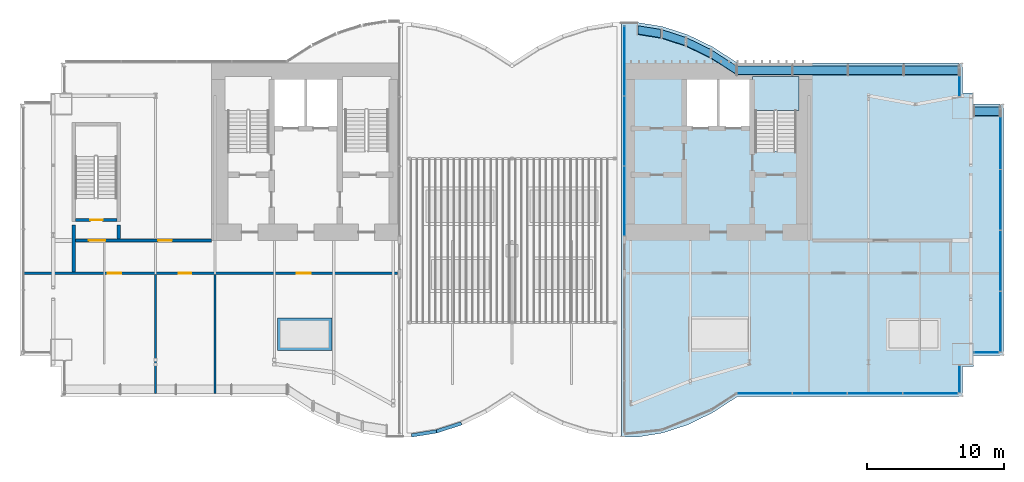
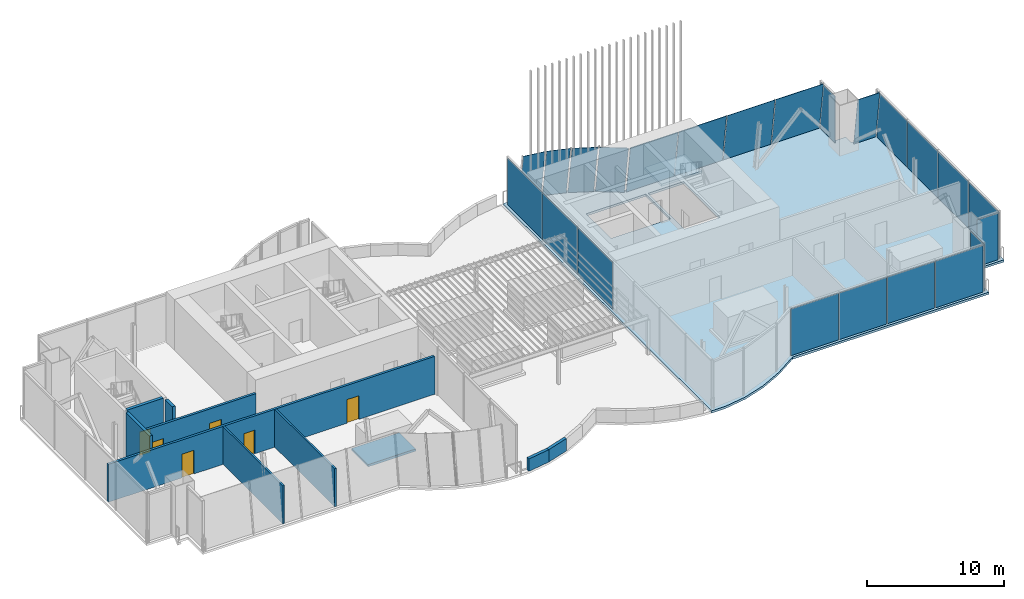
# One storey, part 11 of 18: 23 plates, 10 walls, 6 doors, 2 slabs, 6 openings, 13 elements without a shape of their own.
"""IFC4 building model written with IfcOpenShell, lengths in metres."""

from ifc_helpers import new_model, si_unit, direction, frame, frame_2d, origin, origin_2d, place, context, subcontext, project, spatial, polyline, rectangle, outline, extrude, material, layer, layer_set, layer_usage, type_object, element, fill, aggregate, save


model = new_model("IFC4")

# Units and contexts
model_context = context("Model", 3, precision=1e-05, world=origin(), true_north=direction((0.0, 1.0)))
body_context = subcontext(model_context, "Body", "Model", "MODEL_VIEW")
ifc_project = project(units=[si_unit("LENGTHUNIT", "METRE"), si_unit("AREAUNIT", "SQUARE_METRE"), si_unit("VOLUMEUNIT", "CUBIC_METRE"), si_unit("PLANEANGLEUNIT", "RADIAN"), si_unit("MASSUNIT", "GRAM", prefix="KILO")], contexts=[model_context])

# Site, building, storey
site_placement = place(None, origin())
site = spatial("IfcSite", under=ifc_project, at=site_placement, CompositionType="ELEMENT")
building_placement = place(site_placement, origin())
building = spatial("IfcBuilding", under=site, at=building_placement, Name="Bicima Exchange Tower", CompositionType="ELEMENT")
storey_placement = place(building_placement, frame((0.0, 0.0, 347.89990234375)))
storey = spatial("IfcBuildingStorey", under=building, at=storey_placement, Name="L78", CompositionType="ELEMENT", Elevation=347.89990234375)

# Slab
ifc_material_1 = material(Name="Concrete C40/50", Category="concrete")
ifc_layer_1 = layer(ifc_material_1, 0.199951171875)
ifc_layer_set_1 = layer_set([ifc_layer_1], Name="Concrete C40/50")
slab_type_1 = type_object("IfcSlabType", Name="Composite floor slab 200", PredefinedType="FLOOR", material=ifc_layer_set_1)
slab_1_placement = place(storey_placement, frame((0.0, 0.0, -0.199951171875)))
element("IfcSlab", 1, at=slab_1_placement, inside=storey, type_object=slab_type_1, Name="Floor slab", PredefinedType="FLOOR", context=body_context, shape_type="SweptSolid", body=[
    extrude(outline(polyline([(33.0, -22.23193359375), (33.0, -24.431884765625), (16.5, -24.431884765625), (14.666748046875, -25.6171875), (12.833251953125, -26.506103515625), (11.0, -27.0986328125), (9.166748046875, -27.39501953125), (8.0, -27.39501953125), (8.0, 2.962890625), (9.166748046875, 2.962890625), (11.0, 2.666748046875), (12.833251953125, 2.07421875), (14.666748046875, 1.185302734375), (16.5, 0.0), (33.0, 0.0), (33.0, -2.199951171875), (33.800048828125, -2.199951171875), (33.800048828125, -3.0), (36.0, -3.0), (36.0, -21.431884765625), (33.800048828125, -21.431884765625), (33.800048828125, -22.23193359375), (33.0, -22.23193359375)]), holes=[polyline([(17.800048828125, -1.199951171875), (17.800048828125, -6.449951171875), (20.800048828125, -6.449951171875), (20.800048828125, -1.199951171875), (17.800048828125, -1.199951171875)]), polyline([(15.10009765625, -1.199951171875), (12.60009765625, -1.199951171875), (12.60009765625, -4.800048828125), (15.10009765625, -4.800048828125), (17.60009765625, -4.800048828125), (17.60009765625, -1.199951171875), (15.10009765625, -1.199951171875)])]), origin(), (0.0, 0.0, 1.0), 0.199951171875),
])

# Curtain wall, plate
ifc_material_2 = material(Name="Anodised bronze aluminium", Category="aluminium")
curtain_wall_type_1 = type_object("IfcCurtainWallType", Name="Crown glass wall", PredefinedType="NOTDEFINED", material=ifc_material_2)
curtain_wall_1_placement = place(storey_placement, origin())
curtain_wall_1 = element("IfcCurtainWall", 2, at=curtain_wall_1_placement, inside=storey, type_object=curtain_wall_type_1, Name="Crown glass wall L78 run 1", PredefinedType="NOTDEFINED")
ifc_material_3 = material(Name="Bronze tinted glass", Category="glass")
ifc_layer_2 = layer(ifc_material_3, 0.035888671875)
ifc_layer_set_2 = layer_set([ifc_layer_2], Name="Bronze tinted glass")
plate_type_1 = type_object("IfcPlateType", Name="Crown glass wall glass panel 36", PredefinedType="CURTAIN_PANEL", material=ifc_layer_set_2)
plate_1_placement = place(storey_placement, frame((32.77001953125, -1.418212890625, 0.0), z_axis=(0.0, 0.0, 1.0), x_axis=(0.0, 1.0, 0.0)))
plate_1 = element("IfcPlate", 3, at=plate_1_placement, type_object=plate_type_1, Name="Crown glass wall panel 1.1", PredefinedType="CURTAIN_PANEL", context=body_context, shape_type="SweptSolid", body=[
    extrude(rectangle(XDim=2.076171875, YDim=0.035888671875, at=origin_2d()), origin(), (0.0, 0.0, 1.0), 4.139892578125),
])
aggregate(curtain_wall_1, [plate_1])

# Curtain wall, plates
curtain_wall_2_placement = place(storey_placement, origin())
curtain_wall_2 = element("IfcCurtainWall", 4, at=curtain_wall_2_placement, inside=storey, type_object=curtain_wall_type_1, Name="Crown glass wall L78 run 12", PredefinedType="NOTDEFINED")
plate_2_placement = place(storey_placement, frame((18.485595703125, -24.201904296875, 0.0), z_axis=(0.0, 0.0, 1.0), x_axis=(1.0, 0.0, 0.0)))
plate_2 = element("IfcPlate", 5, at=plate_2_placement, type_object=plate_type_1, Name="Crown glass wall panel 1.1", PredefinedType="CURTAIN_PANEL", context=body_context, shape_type="SweptSolid", body=[
    extrude(rectangle(XDim=3.987060546875, YDim=0.035888671875, at=origin_2d()), origin(), (0.0, 0.0, 1.0), 4.139892578125),
])
plate_3_placement = place(storey_placement, frame((22.53271484375, -24.201904296875, 0.0), z_axis=(0.0, 0.0, 1.0), x_axis=(1.0, 0.0, 0.0)))
plate_3 = element("IfcPlate", 6, at=plate_3_placement, type_object=plate_type_1, Name="Crown glass wall panel 2.1", PredefinedType="CURTAIN_PANEL", context=body_context, shape_type="SweptSolid", body=[
    extrude(rectangle(XDim=3.987060546875, YDim=0.035888671875, at=origin_2d()), origin(), (0.0, 0.0, 1.0), 4.139892578125),
])
plate_4_placement = place(storey_placement, frame((26.57958984375, -24.201904296875, 0.0), z_axis=(0.0, 0.0, 1.0), x_axis=(1.0, 0.0, 0.0)))
plate_4 = element("IfcPlate", 7, at=plate_4_placement, type_object=plate_type_1, Name="Crown glass wall panel 3.1", PredefinedType="CURTAIN_PANEL", context=body_context, shape_type="SweptSolid", body=[
    extrude(rectangle(XDim=3.987060546875, YDim=0.035888671875, at=origin_2d()), origin(), (0.0, 0.0, 1.0), 4.139892578125),
])
plate_5_placement = place(storey_placement, frame((30.62646484375, -24.201904296875, 0.0), z_axis=(0.0, 0.0, 1.0), x_axis=(1.0, 0.0, 0.0)))
plate_5 = element("IfcPlate", 8, at=plate_5_placement, type_object=plate_type_1, Name="Crown glass wall panel 4.1", PredefinedType="CURTAIN_PANEL", context=body_context, shape_type="SweptSolid", body=[
    extrude(rectangle(XDim=3.987060546875, YDim=0.035888671875, at=origin_2d()), origin(), (0.0, 0.0, 1.0), 4.139892578125),
])
aggregate(curtain_wall_2, [plate_2, plate_3, plate_4, plate_5])

# Curtain wall, plate
curtain_wall_3_placement = place(storey_placement, origin())
curtain_wall_3 = element("IfcCurtainWall", 9, at=curtain_wall_3_placement, inside=storey, type_object=curtain_wall_type_1, Name="Crown glass wall L78 run 13", PredefinedType="NOTDEFINED")
plate_6_placement = place(storey_placement, frame((32.77001953125, -23.156005859375, 0.0), z_axis=(0.0, 0.0, 1.0), x_axis=(0.0, 1.0, 0.0)))
plate_6 = element("IfcPlate", 10, at=plate_6_placement, type_object=plate_type_1, Name="Crown glass wall panel 1.1", PredefinedType="CURTAIN_PANEL", context=body_context, shape_type="SweptSolid", body=[
    extrude(rectangle(XDim=1.971923828125, YDim=0.035888671875, at=origin_2d()), origin(), (0.0, 0.0, 1.0), 4.139892578125),
])
aggregate(curtain_wall_3, [plate_6])

curtain_wall_4_placement = place(storey_placement, origin())
curtain_wall_4 = element("IfcCurtainWall", 11, at=curtain_wall_4_placement, inside=storey, type_object=curtain_wall_type_1, Name="Crown glass wall L78 run 14", PredefinedType="NOTDEFINED")
plate_7_placement = place(storey_placement, frame((34.739990234375, -21.201904296875, 0.0), z_axis=(0.0, 0.0, 1.0), x_axis=(1.0, 0.0, 0.0)))
plate_7 = element("IfcPlate", 12, at=plate_7_placement, type_object=plate_type_1, Name="Crown glass wall panel 1.1", PredefinedType="CURTAIN_PANEL", context=body_context, shape_type="SweptSolid", body=[
    extrude(rectangle(XDim=1.760009765625, YDim=0.035888671875, at=origin_2d()), origin(), (0.0, 0.0, 1.0), 4.139892578125),
])
aggregate(curtain_wall_4, [plate_7])

# Curtain wall, plates
curtain_wall_5_placement = place(storey_placement, origin())
curtain_wall_5 = element("IfcCurtainWall", 13, at=curtain_wall_5_placement, inside=storey, type_object=curtain_wall_type_1, Name="Crown glass wall L78 run 15", PredefinedType="NOTDEFINED")
plate_8_placement = place(storey_placement, frame((35.77001953125, -18.9443359375, 0.0), z_axis=(0.0, 0.0, 1.0), x_axis=(0.0, 1.0, 0.0)))
plate_8 = element("IfcPlate", 14, at=plate_8_placement, type_object=plate_type_1, Name="Crown glass wall panel 1.1", PredefinedType="CURTAIN_PANEL", context=body_context, shape_type="SweptSolid", body=[
    extrude(rectangle(XDim=4.3955078125, YDim=0.035888671875, at=origin_2d()), origin(), (0.0, 0.0, 1.0), 4.139892578125),
])
plate_9_placement = place(storey_placement, frame((35.77001953125, -14.48876953125, 0.0), z_axis=(0.0, 0.0, 1.0), x_axis=(0.0, 1.0, 0.0)))
plate_9 = element("IfcPlate", 15, at=plate_9_placement, type_object=plate_type_1, Name="Crown glass wall panel 2.1", PredefinedType="CURTAIN_PANEL", context=body_context, shape_type="SweptSolid", body=[
    extrude(rectangle(XDim=4.3955078125, YDim=0.035888671875, at=origin_2d()), origin(), (0.0, 0.0, 1.0), 4.139892578125),
])
plate_10_placement = place(storey_placement, frame((35.77001953125, -10.033203125, 0.0), z_axis=(0.0, 0.0, 1.0), x_axis=(0.0, 1.0, 0.0)))
plate_10 = element("IfcPlate", 16, at=plate_10_placement, type_object=plate_type_1, Name="Crown glass wall panel 3.1", PredefinedType="CURTAIN_PANEL", context=body_context, shape_type="SweptSolid", body=[
    extrude(rectangle(XDim=4.3955078125, YDim=0.035888671875, at=origin_2d()), origin(), (0.0, 0.0, 1.0), 4.139892578125),
])
plate_11_placement = place(storey_placement, frame((35.77001953125, -5.57763671875, 0.0), z_axis=(0.0, 0.0, 1.0), x_axis=(0.0, 1.0, 0.0)))
plate_11 = element("IfcPlate", 17, at=plate_11_placement, type_object=plate_type_1, Name="Crown glass wall panel 4.1", PredefinedType="CURTAIN_PANEL", context=body_context, shape_type="SweptSolid", body=[
    extrude(rectangle(XDim=4.3955078125, YDim=0.035888671875, at=origin_2d()), origin(), (0.0, 0.0, 1.0), 4.139892578125),
])
aggregate(curtain_wall_5, [plate_8, plate_9, plate_10, plate_11])

curtain_wall_6_placement = place(storey_placement, origin())
curtain_wall_6 = element("IfcCurtainWall", 18, at=curtain_wall_6_placement, inside=storey, type_object=curtain_wall_type_1, Name="Crown tilted glass L78 2.1", PredefinedType="NOTDEFINED")
plate_12_placement = place(storey_placement, frame((32.7099609375, -0.22998046875, 0.0), z_axis=(0.0, 0.99027074745, 0.139154039626), x_axis=(-1.0, 0.0, 0.0)))
plate_12 = element("IfcPlate", 19, at=plate_12_placement, type_object=plate_type_1, Name="Crown tilted glass panel 1", PredefinedType="CURTAIN_PANEL", context=body_context, shape_type="SweptSolid", body=[
    extrude(outline(polyline([(0.0, 0.0), (4.009521484375, 0.0), (4.009521484375, 4.342296123758884), (0.0, 4.342296123758884), (0.0, 0.0)])), origin(), (0.0, 0.0, -1.0), 0.035888671875),
])
plate_13_placement = place(storey_placement, frame((28.640380859375, -0.22998046875, 0.0), z_axis=(0.0, 0.99027074745, 0.139154039626), x_axis=(-1.0, 0.0, 0.0)))
plate_13 = element("IfcPlate", 20, at=plate_13_placement, type_object=plate_type_1, Name="Crown tilted glass panel 2", PredefinedType="CURTAIN_PANEL", context=body_context, shape_type="SweptSolid", body=[
    extrude(outline(polyline([(0.0, 0.0), (4.00927734375, 0.0), (4.00927734375, 4.342296123758885), (0.0, 4.342296123758885), (0.0, 0.0)])), origin(), (0.0, 0.0, -1.0), 0.035888671875),
])
plate_14_placement = place(storey_placement, frame((24.571044921875, -0.22998046875, 0.0), z_axis=(0.0, 0.99027074745, 0.139154039626), x_axis=(-1.0, 0.0, 0.0)))
plate_14 = element("IfcPlate", 21, at=plate_14_placement, type_object=plate_type_1, Name="Crown tilted glass panel 3", PredefinedType="CURTAIN_PANEL", context=body_context, shape_type="SweptSolid", body=[
    extrude(outline(polyline([(0.0, 0.0), (4.009521484375, 0.0), (4.009521484375, 4.342296123758884), (0.0, 4.342296123758884), (0.0, 0.0)])), origin(), (0.0, 0.0, -1.0), 0.035888671875),
])
plate_15_placement = place(storey_placement, frame((20.501708984375, -0.22998046875, 0.0), z_axis=(0.0, 0.99027074745, 0.139154039626), x_axis=(-1.0, 0.0, 0.0)))
plate_15 = element("IfcPlate", 22, at=plate_15_placement, type_object=plate_type_1, Name="Crown tilted glass panel 4", PredefinedType="CURTAIN_PANEL", context=body_context, shape_type="SweptSolid", body=[
    extrude(outline(polyline([(0.0, 0.0), (4.009521484375, 0.0), (4.009521484375, 4.342296123758884), (0.0, 4.342296123758884), (0.0, 0.0)])), origin(), (0.0, 0.0, -1.0), 0.035888671875),
])
aggregate(curtain_wall_6, [plate_12, plate_13, plate_14, plate_15])

# Curtain wall, plate
curtain_wall_7_placement = place(storey_placement, origin())
curtain_wall_7 = element("IfcCurtainWall", 23, at=curtain_wall_7_placement, inside=storey, type_object=curtain_wall_type_1, Name="Crown tilted glass L78 3.1", PredefinedType="NOTDEFINED")
plate_16_placement = place(storey_placement, frame((16.381591796875, -0.197509765625, 0.0), z_axis=(0.539204779654, 0.833977695307, 0.117215226522), x_axis=(-0.839766235342, 0.54294812823, -5.637187e-06)))
plate_16 = element("IfcPlate", 24, at=plate_16_placement, type_object=plate_type_1, Name="Crown tilted glass panel 1", PredefinedType="CURTAIN_PANEL", context=body_context, shape_type="SweptSolid", body=[
    extrude(outline(polyline([(0.0, 0.0), (2.116830504694543, 0.0), (1.7885983627828739, 4.3299069712477385), (-0.3280995862163004, 4.329882940400594), (0.0, 0.0)])), origin(), (0.0, 0.0, -1.0), 0.035888671875),
])
aggregate(curtain_wall_7, [plate_16])

curtain_wall_8_placement = place(storey_placement, origin())
curtain_wall_8 = element("IfcCurtainWall", 25, at=curtain_wall_8_placement, inside=storey, type_object=curtain_wall_type_1, Name="Crown tilted glass L78 4.1", PredefinedType="NOTDEFINED")
plate_17_placement = place(storey_placement, frame((14.499755859375, 1.010498046875, 0.0), z_axis=(0.432817763819, 0.892710697566, 0.125444783766), x_axis=(-0.899818722999, 0.436263986298, 0.0)))
plate_17 = element("IfcPlate", 26, at=plate_17_placement, type_object=plate_type_1, Name="Crown tilted glass panel 1", PredefinedType="CURTAIN_PANEL", context=body_context, shape_type="SweptSolid", body=[
    extrude(outline(polyline([(0.0, 0.0), (1.8875872269742504, 0.0), (1.623975565331774, 4.334287083045785), (-0.26361166164247657, 4.334287083045785), (0.0, 0.0)])), origin(), (0.0, 0.0, -1.0), 0.035888671875),
])
aggregate(curtain_wall_8, [plate_17])

curtain_wall_9_placement = place(storey_placement, origin())
curtain_wall_9 = element("IfcCurtainWall", 27, at=curtain_wall_9_placement, inside=storey, type_object=curtain_wall_type_1, Name="Crown tilted glass L78 5.1", PredefinedType="NOTDEFINED")
plate_18_placement = place(storey_placement, frame((12.690185546875, 1.878662109375, 0.0), z_axis=(0.304845873957, 0.943131850924, 0.132556798783), x_axis=(-0.95152834668, 0.307561059614, -8.60754e-06)))
plate_18 = element("IfcPlate", 28, at=plate_18_placement, type_object=plate_type_1, Name="Crown tilted glass panel 1", PredefinedType="CURTAIN_PANEL", context=body_context, shape_type="SweptSolid", body=[
    extrude(outline(polyline([(0.0, 0.0), (1.772986397151972, -1.3877787807814457e-17), (1.587031126591895, 4.338346615140853), (-0.18588018241075707, 4.338315821945635), (0.0, 0.0)])), origin(), (0.0, 0.0, -1.0), 0.035888671875),
])
aggregate(curtain_wall_9, [plate_18])

curtain_wall_10_placement = place(storey_placement, origin())
curtain_wall_10 = element("IfcCurtainWall", 29, at=curtain_wall_10_placement, inside=storey, type_object=curtain_wall_type_1, Name="Crown tilted glass L78 6.1", PredefinedType="NOTDEFINED")
plate_19_placement = place(storey_placement, frame((10.88671875, 2.451904296875, 0.0), z_axis=(0.158088635796, 0.977818018892, 0.137404167192), x_axis=(-0.987181369594, 0.159602454636, 0.0)))
plate_19 = element("IfcPlate", 30, at=plate_19_placement, type_object=plate_type_1, Name="Crown tilted glass panel 1", PredefinedType="CURTAIN_PANEL", context=body_context, shape_type="SweptSolid", body=[
    extrude(outline(polyline([(0.0, 0.0), (1.7010037572326968, -6.938893903907228e-18), (1.6045642857422238, 4.34122506382128), (-0.09643947149047298, 4.34122506382128), (0.0, 0.0)])), origin(), (0.0, 0.0, -1.0), 0.035888671875),
])
aggregate(curtain_wall_10, [plate_19])

curtain_wall_11_placement = place(storey_placement, origin())
curtain_wall_11 = element("IfcCurtainWall", 31, at=curtain_wall_11_placement, inside=storey, type_object=curtain_wall_type_1, Name="Crown tilted glass L78 18.1", PredefinedType="NOTDEFINED")
plate_20_placement = place(storey_placement, frame((35.7099609375, -3.22998046875, 0.0), z_axis=(0.0, 0.99027074745, 0.139154039626), x_axis=(-1.0, 0.0, 0.0)))
plate_20 = element("IfcPlate", 32, at=plate_20_placement, type_object=plate_type_1, Name="Crown tilted glass panel 1", PredefinedType="CURTAIN_PANEL", context=body_context, shape_type="SweptSolid", body=[
    extrude(outline(polyline([(0.0, 0.0), (1.849853515625, 0.0), (1.849853515625, 4.342296123758885), (0.0, 4.342296123758885), (0.0, 0.0)])), origin(), (0.0, 0.0, -1.0), 0.035888671875),
])
aggregate(curtain_wall_11, [plate_20])

# Curtain wall, plates
curtain_wall_type_2 = type_object("IfcCurtainWallType", Name="End face glass wall", PredefinedType="NOTDEFINED", material=ifc_material_2)
curtain_wall_12_placement = place(storey_placement, origin())
curtain_wall_12 = element("IfcCurtainWall", 33, at=curtain_wall_12_placement, inside=storey, type_object=curtain_wall_type_2, Name="End face glass wall L78 run 2.1", PredefinedType="NOTDEFINED")
ifc_layer_3 = layer(ifc_material_3, 0.031982421875)
ifc_layer_set_3 = layer_set([ifc_layer_3], Name="Bronze tinted glass")
plate_type_2 = type_object("IfcPlateType", Name="End face glass wall glass panel 32", PredefinedType="CURTAIN_PANEL", material=ifc_layer_set_3)
plate_21_placement = place(storey_placement, frame((8.22998046875, 0.140869140625, 0.0), z_axis=(0.0, 0.0, 1.0), x_axis=(0.0, -1.0, 0.0)))
plate_21 = element("IfcPlate", 34, at=plate_21_placement, type_object=plate_type_2, Name="End face glass wall panel 1.1", PredefinedType="CURTAIN_PANEL", context=body_context, shape_type="SweptSolid", body=[
    extrude(rectangle(XDim=5.064208984375, YDim=0.031982421875, at=origin_2d()), origin(), (0.0, 0.0, 1.0), 4.159912109375),
])
plate_22_placement = place(storey_placement, frame((8.22998046875, -4.9833984375, 0.0), z_axis=(0.0, 0.0, 1.0), x_axis=(0.0, -1.0, 0.0)))
plate_22 = element("IfcPlate", 35, at=plate_22_placement, type_object=plate_type_2, Name="End face glass wall panel 2.1", PredefinedType="CURTAIN_PANEL", context=body_context, shape_type="SweptSolid", body=[
    extrude(rectangle(XDim=5.064208984375, YDim=0.031982421875, at=origin_2d()), origin(), (0.0, 0.0, 1.0), 4.159912109375),
])
plate_23_placement = place(storey_placement, frame((8.22998046875, -10.10791015625, 0.0), z_axis=(0.0, 0.0, 1.0), x_axis=(0.0, -1.0, 0.0)))
plate_23 = element("IfcPlate", 36, at=plate_23_placement, type_object=plate_type_2, Name="End face glass wall panel 3.1", PredefinedType="CURTAIN_PANEL", context=body_context, shape_type="SweptSolid", body=[
    extrude(rectangle(XDim=5.064208984375, YDim=0.031982421875, at=origin_2d()), origin(), (0.0, 0.0, 1.0), 4.159912109375),
])
aggregate(curtain_wall_12, [plate_21, plate_22, plate_23])

# Stair, slab
ifc_material_4 = material(Name="Concrete C50/60", Category="concrete")
stair_type = type_object("IfcStairType", Name="Exit stair", PredefinedType="HALF_TURN_STAIR", material=ifc_material_4)
stair_placement = place(storey_placement, origin())
stair = element("IfcStair", 37, at=stair_placement, inside=storey, type_object=stair_type, Name="L78 East exit stair", PredefinedType="HALF_TURN_STAIR")
ifc_layer_4 = layer(ifc_material_4, 0.199951171875)
ifc_layer_set_4 = layer_set([ifc_layer_4], Name="Concrete C50/60")
slab_type_2 = type_object("IfcSlabType", Name="Stair landing slab", PredefinedType="LANDING", material=ifc_layer_set_4)
slab_2_placement = place(storey_placement, frame((0.0, 0.0, 2.050048828125)))
slab_2 = element("IfcSlab", 38, at=slab_2_placement, type_object=slab_type_2, Name="ST-E landing 1", PredefinedType="LANDING", context=body_context, shape_type="SweptSolid", body=[
    extrude(outline(polyline([(21.0, -3.469970703125), (21.0, -1.0), (17.60009765625, -1.0), (17.60009765625, -3.469970703125), (21.0, -3.469970703125)])), origin(), (0.0, 0.0, 1.0), 0.199951171875),
])
aggregate(stair, [slab_2])

# Wall, openings, doors
ifc_material_5 = material(Name="Gypsum board partition")
ifc_layer_5 = layer(ifc_material_5, 0.199951171875)
ifc_layer_set_5 = layer_set([ifc_layer_5], Name="Gypsum board partition")
wall_type_1 = type_object("IfcWallType", Name="Fire-rated gypsum partition 200 EI60", PredefinedType="PARTITIONING", material=ifc_layer_set_5)
wall_1_placement = place(storey_placement, frame((-35.7900390625, -15.39990234375, 0.0), z_axis=(0.0, 0.0, 1.0), x_axis=(1.0, 0.0, 0.0)))
wall_1 = element("IfcWall", 39, at=wall_1_placement, inside=storey, type_object=wall_type_1, Name="partition wall 1", PredefinedType="PARTITIONING", context=body_context, shape_type="SweptSolid", body=[
    extrude(rectangle(XDim=27.41015625, YDim=0.199951171875, at=frame_2d((13.705078125, 0.0))), origin(), (0.0, 0.0, 1.0), 3.368408203125),
])
opening_1_placement = place(wall_1_placement, frame((6.18994140625, 0.0, 0.0)))
opening_1 = element("IfcOpeningElement", 40, at=opening_1_placement, cuts=wall_1, Name="Opening L78-004", PredefinedType="OPENING", context=body_context, shape_type="SweptSolid", body=[
    extrude(rectangle(XDim=1.0, YDim=2.10009765625, at=frame_2d((0.5, 1.050048828125))), frame((0.0, 0.11181640625, 0.0), z_axis=(0.0, -1.0, 0.0), x_axis=(1.0, 0.0, 0.0)), (0.0, 0.0, 1.0), 0.223876953125),
])
opening_2_placement = place(wall_1_placement, frame((11.389892578125, 0.0, 0.0)))
opening_2 = element("IfcOpeningElement", 41, at=opening_2_placement, cuts=wall_1, Name="Opening L78-005", PredefinedType="OPENING", context=body_context, shape_type="SweptSolid", body=[
    extrude(rectangle(XDim=0.89990234375, YDim=2.10009765625, at=frame_2d((0.449951171875, 1.050048828125))), frame((0.0, 0.11181640625, 0.0), z_axis=(0.0, -1.0, 0.0), x_axis=(1.0, 0.0, 0.0)), (0.0, 0.0, 1.0), 0.223876953125),
])
opening_3_placement = place(wall_1_placement, frame((20.0400390625, 0.0, 0.0)))
opening_3 = element("IfcOpeningElement", 42, at=opening_3_placement, cuts=wall_1, Name="Opening L78-006", PredefinedType="OPENING", context=body_context, shape_type="SweptSolid", body=[
    extrude(rectangle(XDim=1.0, YDim=2.10009765625, at=frame_2d((0.5, 1.050048828125))), frame((0.0, 0.11181640625, 0.0), z_axis=(0.0, -1.0, 0.0), x_axis=(1.0, 0.0, 0.0)), (0.0, 0.0, 1.0), 0.223876953125),
])
ifc_material_6 = material(Name="Steel fire door leaf", Category="steel")
door_type_1 = type_object("IfcDoorType", Name="Door 1000 swing FD30S", OperationType="SINGLE_SWING_LEFT", PredefinedType="DOOR", material=ifc_material_6)
door_1_placement = place(opening_1_placement, frame((1.0, 0.0, 0.0), z_axis=(0.0, 0.0, 1.0), x_axis=(-1.0, 0.0, 0.0)))
door_1 = element("IfcDoor", 43, at=door_1_placement, inside=storey, type_object=door_type_1, Name="Door", OperationType="SINGLE_SWING_LEFT", OverallHeight=2.10009765625, OverallWidth=1.0, PredefinedType="DOOR", context=body_context, shape_type="SweptSolid", body=[
    extrude(rectangle(XDim=1.0, YDim=2.10009765625, at=frame_2d((0.5, 1.050048828125))), frame((0.0, 0.02490234375, 0.0), z_axis=(0.0, -1.0, 0.0), x_axis=(1.0, 0.0, 0.0)), (0.0, 0.0, 1.0), 0.050048828125),
])
fill(opening_1, door_1)
door_2_placement = place(opening_3_placement, frame((1.0, 0.0, 0.0), z_axis=(0.0, 0.0, 1.0), x_axis=(-1.0, 0.0, 0.0)))
door_2 = element("IfcDoor", 44, at=door_2_placement, inside=storey, type_object=door_type_1, Name="Door", OperationType="SINGLE_SWING_RIGHT", OverallHeight=2.10009765625, OverallWidth=1.0, PredefinedType="DOOR", context=body_context, shape_type="SweptSolid", body=[
    extrude(rectangle(XDim=1.0, YDim=2.10009765625, at=frame_2d((0.5, 1.050048828125))), frame((0.0, 0.02490234375, 0.0), z_axis=(0.0, -1.0, 0.0), x_axis=(1.0, 0.0, 0.0)), (0.0, 0.0, 1.0), 0.050048828125),
])
fill(opening_3, door_2)
door_type_2 = type_object("IfcDoorType", Name="Door 900 swing FD30S", OperationType="SINGLE_SWING_LEFT", PredefinedType="DOOR", material=ifc_material_6)
door_3_placement = place(opening_2_placement, frame((0.89990234375, 0.0, 0.0), z_axis=(0.0, 0.0, 1.0), x_axis=(-1.0, 0.0, 0.0)))
door_3 = element("IfcDoor", 45, at=door_3_placement, inside=storey, type_object=door_type_2, Name="Door", OperationType="SINGLE_SWING_RIGHT", OverallHeight=2.10009765625, OverallWidth=0.89990234375, PredefinedType="DOOR", context=body_context, shape_type="SweptSolid", body=[
    extrude(rectangle(XDim=0.89990234375, YDim=2.10009765625, at=frame_2d((0.449951171875, 1.050048828125))), frame((0.0, 0.02490234375, 0.0), z_axis=(0.0, -1.0, 0.0), x_axis=(1.0, 0.0, 0.0)), (0.0, 0.0, 1.0), 0.050048828125),
])
fill(opening_2, door_3)

wall_2_placement = place(storey_placement, frame((-31.97509765625, -13.0, 0.0), z_axis=(0.0, 0.0, 1.0), x_axis=(1.0, 0.0, 0.0)))
wall_2 = element("IfcWall", 46, at=wall_2_placement, inside=storey, type_object=wall_type_1, Name="partition wall 3", PredefinedType="PARTITIONING", context=body_context, shape_type="SweptSolid", body=[
    extrude(rectangle(XDim=9.97509765625, YDim=0.199951171875, at=frame_2d((4.987548828125, 0.0))), origin(), (0.0, 0.0, 1.0), 3.368408203125),
])
opening_4_placement = place(wall_2_placement, frame((1.0, 0.0, 0.0)))
opening_4 = element("IfcOpeningElement", 47, at=opening_4_placement, cuts=wall_2, Name="Opening L78-001", PredefinedType="OPENING", context=body_context, shape_type="SweptSolid", body=[
    extrude(rectangle(XDim=1.199951171875, YDim=2.10009765625, at=frame_2d((0.60009765625, 1.050048828125))), frame((0.0, 0.11181640625, 0.0), z_axis=(0.0, -1.0, 0.0), x_axis=(1.0, 0.0, 0.0)), (0.0, 0.0, 1.0), 0.223876953125),
])
opening_5_placement = place(wall_2_placement, frame((6.074951171875, 0.0, 0.0)))
opening_5 = element("IfcOpeningElement", 48, at=opening_5_placement, cuts=wall_2, Name="Opening L78-003", PredefinedType="OPENING", context=body_context, shape_type="SweptSolid", body=[
    extrude(rectangle(XDim=1.0, YDim=2.10009765625, at=frame_2d((0.5, 1.050048828125))), frame((0.0, 0.11181640625, 0.0), z_axis=(0.0, -1.0, 0.0), x_axis=(1.0, 0.0, 0.0)), (0.0, 0.0, 1.0), 0.223876953125),
])
door_4_placement = place(opening_5_placement, origin())
door_4 = element("IfcDoor", 49, at=door_4_placement, inside=storey, type_object=door_type_1, Name="Door", OperationType="SINGLE_SWING_RIGHT", OverallHeight=2.10009765625, OverallWidth=1.0, PredefinedType="DOOR", context=body_context, shape_type="SweptSolid", body=[
    extrude(rectangle(XDim=1.0, YDim=2.10009765625, at=frame_2d((0.5, 1.050048828125))), frame((0.0, 0.02490234375, 0.0), z_axis=(0.0, -1.0, 0.0), x_axis=(1.0, 0.0, 0.0)), (0.0, 0.0, 1.0), 0.050048828125),
])
fill(opening_5, door_4)
door_type_3 = type_object("IfcDoorType", Name="Door 1200 swing FD30S", OperationType="SINGLE_SWING_LEFT", PredefinedType="DOOR", material=ifc_material_6)
door_5_placement = place(opening_4_placement, origin())
door_5 = element("IfcDoor", 50, at=door_5_placement, inside=storey, type_object=door_type_3, Name="Door", OperationType="SINGLE_SWING_LEFT", OverallHeight=2.10009765625, OverallWidth=1.199951171875, PredefinedType="DOOR", context=body_context, shape_type="SweptSolid", body=[
    extrude(rectangle(XDim=1.199951171875, YDim=2.10009765625, at=frame_2d((0.60009765625, 1.050048828125))), frame((0.0, 0.02490234375, 0.0), z_axis=(0.0, -1.0, 0.0), x_axis=(1.0, 0.0, 0.0)), (0.0, 0.0, 1.0), 0.050048828125),
])
fill(opening_4, door_5)

# Walls
ifc_layer_6 = layer(ifc_material_5, 0.14990234375)
ifc_layer_set_6 = layer_set([ifc_layer_6], Name="Gypsum board partition")
wall_type_2 = type_object("IfcWallType", Name="Gypsum partition 150", PredefinedType="PARTITIONING", material=ifc_layer_set_6)
for number, where, z_axis, x_axis, name in (
    (51, (-26.10009765625, -24.219970703125, 0.0), (0.0, 0.0, 1.0), (0.0, 1.0, 0.0), "partition wall 9"),
    (52, (-21.75, -24.219970703125, 0.0), (0.0, 0.0, 1.0), (0.0, 1.0, 0.0), "partition wall 10"),
):
    element("IfcWall", number, at=place(storey_placement, frame(where, z_axis=z_axis, x_axis=x_axis)), inside=storey, type_object=wall_type_2, Name=name, PredefinedType="PARTITIONING", context=body_context, shape_type="SweptSolid", body=[
        extrude(rectangle(XDim=8.719970703125, YDim=0.14990234375, at=frame_2d((4.35986328125, 0.0))), origin(), (0.0, 0.0, 1.0), 3.368408203125),
    ])
ifc_layer_7 = layer(ifc_material_1, 0.2)
ifc_layer_set_7 = layer_set([ifc_layer_7], Name="Concrete C40/50")
wall_type_3 = type_object("IfcWallType", Name="Plant plinth 200", PredefinedType="USERDEFINED", material=ifc_layer_set_7)
wall_3_placement = place(storey_placement, frame((-15.18505859375, -19.860107421875, 0.0), z_axis=(0.0, 0.0, 1.0), x_axis=(1.0, 0.0, 0.0)))
element("IfcWall", 53, at=wall_3_placement, inside=storey, type_object=wall_type_3, Name="Plant plinth Water treatment skid", ObjectType="PLINTH", PredefinedType="USERDEFINED", context=body_context, shape_type="SweptSolid", body=[
    extrude(rectangle(XDim=4.0, YDim=2.39990234375, at=origin_2d()), origin(), (0.0, 0.0, 1.0), 0.199951171875),
])
ifc_layer_8 = layer(ifc_material_4, 0.25)
ifc_layer_set_8 = layer_set([ifc_layer_8], Name="Concrete C50/60")
wall_type_4 = type_object("IfcWallType", Name="RC core wall 250 C50/60", PredefinedType="SHEAR", material=ifc_layer_set_8)
wall_4_placement = place(storey_placement, frame((-32.10009765625, -15.300048828125, 0.0), z_axis=(0.0, 0.0, 1.0), x_axis=(0.0, 1.0, 0.0)))
element("IfcWall", 54, at=wall_4_placement, inside=storey, type_object=wall_type_4, Name="stair wall 7", PredefinedType="SHEAR", context=body_context, shape_type="SweptSolid", body=[
    extrude(rectangle(XDim=3.449951171875, YDim=0.25, at=frame_2d((1.72509765625, 0.0))), origin(), (0.0, 0.0, 1.0), 4.5),
])
wall_5_placement = place(storey_placement, frame((-28.800048828125, -12.89990234375, 0.0), z_axis=(0.0, 0.0, 1.0), x_axis=(0.0, 1.0, 0.0)))
element("IfcWall", 55, at=wall_5_placement, inside=storey, type_object=wall_type_4, Name="stair wall 8", PredefinedType="SHEAR", context=body_context, shape_type="SweptSolid", body=[
    extrude(rectangle(XDim=1.0498046875, YDim=0.25, at=frame_2d((0.52490234375, 0.0))), origin(), (0.0, 0.0, 1.0), 4.5),
])

# Wall, opening, door
ifc_layer_9 = layer(ifc_material_4, 0.25)
ifc_layer_set_9 = layer_set([ifc_layer_9], Name="Concrete C50/60")
wall_type_5 = type_object("IfcWallType", Name="RC stair enclosure wall 250 C50/60", PredefinedType="SHEAR", material=ifc_layer_set_9)
wall_6_placement = place(storey_placement, frame((-31.97509765625, -11.5, 0.0), z_axis=(0.0, 0.0, 1.0), x_axis=(1.0, 0.0, 0.0)))
wall_6 = element("IfcWall", 56, at=wall_6_placement, inside=storey, type_object=wall_type_5, Name="West end exit stair wall S", PredefinedType="SHEAR", context=body_context, shape_type="SweptSolid", body=[
    extrude(rectangle(XDim=3.050048828125, YDim=0.25, at=frame_2d((1.52490234375, 0.0))), origin(), (0.0, 0.0, 1.0), 4.5),
])
opening_6_placement = place(wall_6_placement, frame((1.10009765625, 0.0, 0.0)))
opening_6 = element("IfcOpeningElement", 57, at=opening_6_placement, cuts=wall_6, Name="Opening L78-002", PredefinedType="OPENING", context=body_context, shape_type="SweptSolid", body=[
    extrude(rectangle(XDim=0.89990234375, YDim=2.10009765625, at=frame_2d((0.449951171875, 1.050048828125))), frame((0.0, 0.136962890625, 0.0), z_axis=(0.0, -1.0, 0.0), x_axis=(1.0, 0.0, 0.0)), (0.0, 0.0, 1.0), 0.27392578125),
])
door_type_4 = type_object("IfcDoorType", Name="Door 900 swing FD60S", OperationType="SINGLE_SWING_LEFT", PredefinedType="DOOR", material=ifc_material_6)
door_6_placement = place(opening_6_placement, origin())
door_6 = element("IfcDoor", 58, at=door_6_placement, inside=storey, type_object=door_type_4, Name="Door", OperationType="SINGLE_SWING_LEFT", OverallHeight=2.10009765625, OverallWidth=0.89990234375, PredefinedType="DOOR", context=body_context, shape_type="SweptSolid", body=[
    extrude(rectangle(XDim=0.89990234375, YDim=2.10009765625, at=frame_2d((0.449951171875, 1.050048828125))), frame((0.0, 0.02490234375, 0.0), z_axis=(0.0, -1.0, 0.0), x_axis=(1.0, 0.0, 0.0)), (0.0, 0.0, 1.0), 0.050048828125),
])
fill(opening_6, door_6)

# Walls
ifc_layer_10 = layer(ifc_material_1, 0.25)
ifc_layer_set_10 = layer_set([ifc_layer_10], Name="Concrete C40/50")
ifc_layer_usage = layer_usage(ifc_layer_set_10, "AXIS2", "POSITIVE", -0.125)
wall_type_6 = type_object("IfcWallType", Name="Roof parapet 250", PredefinedType="PARAPET", material=ifc_layer_set_10)
wall_7_placement = place(storey_placement, frame((-7.353271484375, -27.271484375, 0.0), z_axis=(0.0, 0.0, 1.0), x_axis=(0.987202424184, 0.159472172132, 0.0)))
element("IfcWall", 59, at=wall_7_placement, inside=storey, type_object=wall_type_6, material=ifc_layer_usage, Name="Roof parapet 15", PredefinedType="PARAPET", context=body_context, shape_type="SweptSolid", body=[
    extrude(rectangle(XDim=1.85693359375, YDim=0.25, at=frame_2d((0.928466796875, 0.0))), origin(), (0.0, 0.0, 1.0), 1.10009765625),
])
wall_8_placement = place(storey_placement, frame((-5.538330078125, -26.979736328125, 0.0), z_axis=(0.0, 0.0, 1.0), x_axis=(0.951532894827, 0.30754698838, 0.0)))
element("IfcWall", 60, at=wall_8_placement, inside=storey, type_object=wall_type_6, material=ifc_layer_usage, Name="Roof parapet 16", PredefinedType="PARAPET", context=body_context, shape_type="SweptSolid", body=[
    extrude(rectangle(XDim=1.926513671875, YDim=0.25, at=frame_2d((0.96337890625, 0.0))), origin(), (0.0, 0.0, 1.0), 1.10009765625),
])

save(model, "model.ifc")
